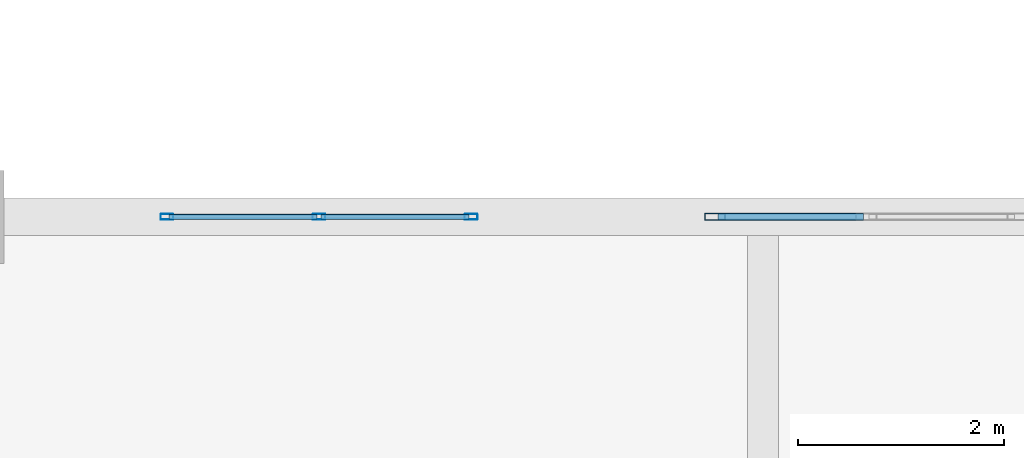
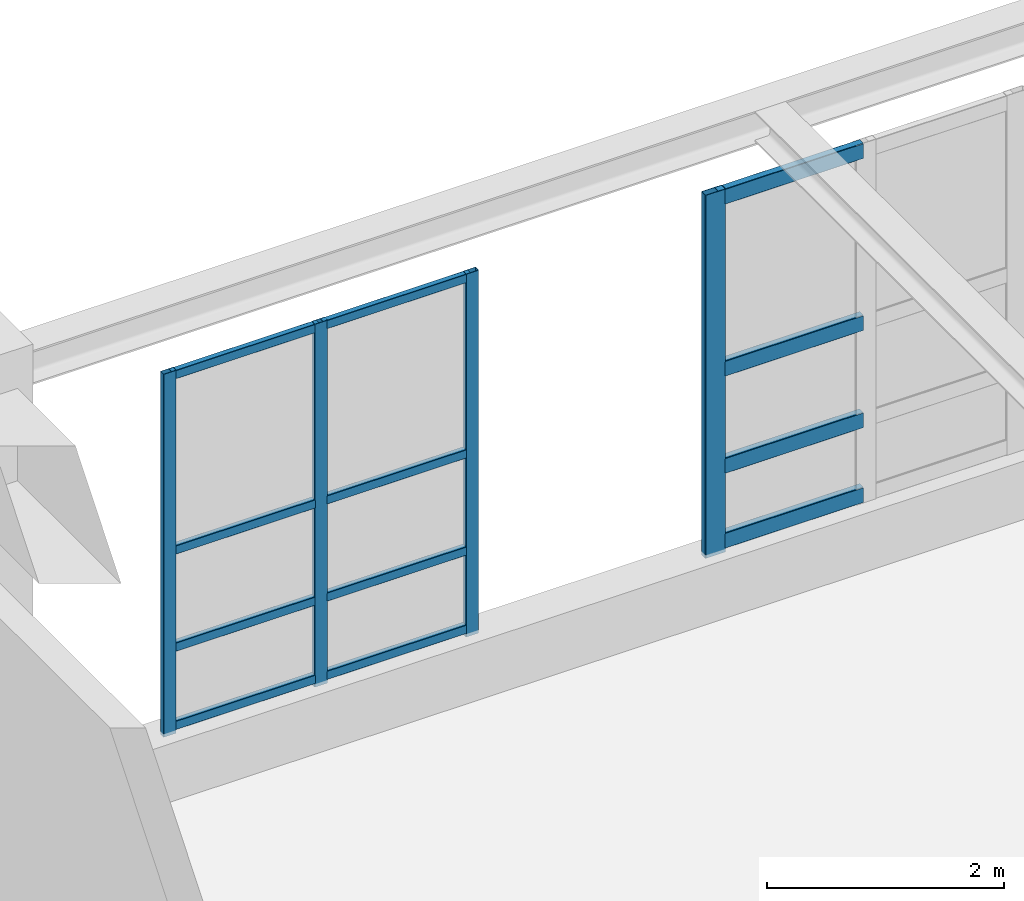
# One storey, part 79 of 197: 16 members, 2 elements without a shape of their own.
"""IFC4 building model written with IfcOpenShell, lengths in metres."""

import ifcopenshell
import ifcopenshell.guid

model = None  # the IFC model being written
_history = None  # IfcOwnerHistory: only IFC2X3 demands one
_inside = {}  # id of a spatial element -> (the spatial element, [elements in it])
_under = {}  # id of a project, library or spatial element -> (it, [spatial elements below it])
_declared = {}  # id of a project -> (the project, [libraries it declares])
_typed = {}  # id of a type object -> (the type object, [elements of that type])
_made_of = {}  # id of a material, layer set ... -> (it, [elements and type objects made of it])


def new_model(schema):
    """Start an empty IFC model of exactly this schema.

    Asked for "IFC4X3", IfcOpenShell would pick the latest addendum, in which some entities
    have other attributes; the version numbers below select the first issue.
    IFC2X3 requires an IfcOwnerHistory on every rooted entity: one is made here for all.
    """
    global model, _history
    if schema == "IFC4X3":
        model = ifcopenshell.file(schema_version=(4, 3, 0, 0))
    else:
        model = ifcopenshell.file(schema=schema)
    _inside.clear()
    _under.clear()
    _declared.clear()
    _typed.clear()
    _made_of.clear()
    _history = None
    if model.schema == "IFC2X3":
        org = make("IfcOrganization", Name="unknown")
        user = make(
            "IfcPersonAndOrganization",
            ThePerson=make("IfcPerson", FamilyName="unknown"),
            TheOrganization=org,
        )
        app = make(
            "IfcApplication",
            ApplicationDeveloper=org,
            Version="unknown",
            ApplicationFullName="unknown",
            ApplicationIdentifier="unknown",
        )
        _history = make(
            "IfcOwnerHistory",
            OwningUser=user,
            OwningApplication=app,
            ChangeAction="ADDED",
            CreationDate=0,
        )
    return model


def make(cls, **values):
    """One entity of the class cls with the attributes given. An attribute that is None is left unset."""
    return model.create_entity(
        cls, **{name: value for name, value in values.items() if value is not None}
    )


def rooted(cls, **values):
    """An entity with a GlobalId (a new one), such as an element, a storey or a relation."""
    return make(cls, GlobalId=ifcopenshell.guid.new(), OwnerHistory=_history, **values)


def si_unit(unit_type, name, prefix=None):
    """IfcSIUnit, for example si_unit("LENGTHUNIT", "METRE", prefix="MILLI")."""
    return make("IfcSIUnit", UnitType=unit_type, Prefix=prefix, Name=name)


def derived_unit(unit_type, elements):
    """IfcDerivedUnit: a product of units, each with its exponent."""
    return make(
        "IfcDerivedUnit",
        Elements=[
            make("IfcDerivedUnitElement", Unit=unit, Exponent=power)
            for unit, power in elements
        ],
        UnitType=unit_type,
    )


def assignment(units):
    """IfcUnitAssignment: the units of a project."""
    return None if units is None else make("IfcUnitAssignment", Units=units)


def point(xyz):
    """IfcCartesianPoint."""
    return None if xyz is None else make("IfcCartesianPoint", Coordinates=xyz)


def direction(xyz):
    """IfcDirection."""
    return None if xyz is None else make("IfcDirection", DirectionRatios=xyz)


def frame(location, z_axis=None, x_axis=None):
    """IfcAxis2Placement3D, a coordinate frame: its origin and axes. An axis left out is left unset."""
    return make(
        "IfcAxis2Placement3D",
        Location=point(location),
        Axis=direction(z_axis),
        RefDirection=direction(x_axis),
    )


def frame_2d(location, x_axis=None):
    """IfcAxis2Placement2D, a coordinate frame in the plane: its origin and x axis."""
    return make(
        "IfcAxis2Placement2D", Location=point(location), RefDirection=direction(x_axis)
    )


def origin():
    """The frame at (0, 0, 0) with its axes left unset."""
    return frame((0.0, 0.0, 0.0))


def origin_2d():
    """The frame at (0, 0) in the plane with its x axis left unset."""
    return frame_2d((0.0, 0.0))


def place(relative_to, where):
    """IfcLocalPlacement: puts the frame where relative to a parent placement (None: the world)."""
    return make(
        "IfcLocalPlacement", PlacementRelTo=relative_to, RelativePlacement=where
    )


def context(
    kind, dimensions, precision=None, world=None, true_north=None, identifier=None
):
    """IfcGeometricRepresentationContext, for example the 3D "Model" context."""
    return make(
        "IfcGeometricRepresentationContext",
        ContextIdentifier=identifier,
        ContextType=kind,
        CoordinateSpaceDimension=dimensions,
        Precision=precision,
        WorldCoordinateSystem=world,
        TrueNorth=true_north,
    )


def subcontext(parent, identifier, kind, view, scale=None):
    """IfcGeometricRepresentationSubContext, for example "Body" below "Model"."""
    return make(
        "IfcGeometricRepresentationSubContext",
        ContextIdentifier=identifier,
        ContextType=kind,
        ParentContext=parent,
        TargetScale=scale,
        TargetView=view,
    )


def project(units=None, contexts=None):
    """IfcProject with its units and contexts."""
    return rooted(
        "IfcProject",
        Name="project",
        RepresentationContexts=contexts,
        UnitsInContext=assignment(units),
    )


def spatial(cls, under=None, at=None, **own):
    """A site, building, storey or space (cls), placed at a placement, below another one or the project."""
    s = rooted(cls, ObjectPlacement=at, **own)
    if under is not None:
        _under.setdefault(under.id(), (under, []))[1].append(s)
    return s


def profile(cls, at=None, kind="AREA", **sizes):
    """A parametric profile (cls). Its sizes go by their IFC names, for example OverallWidth=200.0."""
    return make(cls, ProfileType=kind, Position=at, **sizes)


def hollow_rectangle(**sizes):
    """IfcRectangleHollowProfileDef."""
    return profile("IfcRectangleHollowProfileDef", **sizes)


def extrude(swept, where, along, depth):
    """IfcExtrudedAreaSolid: the profile swept, set in the frame where, extruded along a direction by depth."""
    return make(
        "IfcExtrudedAreaSolid",
        SweptArea=swept,
        Position=where,
        ExtrudedDirection=direction(along),
        Depth=depth,
    )


def shape(context_of_items, identifier, shape_type, items):
    """IfcShapeRepresentation: the items that make up one representation, for example the "Body"."""
    return make(
        "IfcShapeRepresentation",
        ContextOfItems=context_of_items,
        RepresentationIdentifier=identifier,
        RepresentationType=shape_type,
        Items=items,
    )


def material(Name=None, Category=None):
    """IfcMaterial."""
    return make("IfcMaterial", Name=Name, Category=Category)


def layer(
    of_material, thickness, ventilated=None, Name=None, Category=None, Priority=None
):
    """IfcMaterialLayer: one layer of a wall or slab, of a material (None: an air gap)."""
    return make(
        "IfcMaterialLayer",
        Material=of_material,
        LayerThickness=thickness,
        IsVentilated=ventilated,
        Name=Name,
        Category=Category,
        Priority=Priority,
    )


def layer_set(layers, Name=None):
    """IfcMaterialLayerSet."""
    return make("IfcMaterialLayerSet", MaterialLayers=layers, LayerSetName=Name)


def material_profile(
    of_material, cross_section, Name=None, Category=None, Priority=None
):
    """IfcMaterialProfile: a cross section and its material."""
    return make(
        "IfcMaterialProfile",
        Name=Name,
        Material=of_material,
        Profile=cross_section,
        Priority=Priority,
        Category=Category,
    )


def profile_set(profiles, Name=None, composite=None):
    """IfcMaterialProfileSet."""
    return make(
        "IfcMaterialProfileSet",
        Name=Name,
        MaterialProfiles=profiles,
        CompositeProfile=composite,
    )


def made_of(thing, what):
    """Note that an element or type object is made of a material, layer set ...; save() writes the relation."""
    if what is not None:
        _made_of.setdefault(what.id(), (what, []))[1].append(thing)
    return thing


def type_object(cls, material=None, **own):
    """A type object (cls), such as IfcWallType, which elements share."""
    return made_of(rooted(cls, **own), material)


def element(
    cls,
    number,
    at=None,
    inside=None,
    cuts=None,
    type_object=None,
    material=None,
    context=None,
    identifier="Body",
    shape_type=None,
    held_by="IfcProductDefinitionShape",
    body=None,
    shapes=None,
    **own,
):
    """One element of the class cls, such as IfcWall. Its Tag is "e" and its number.

    at: its placement. inside: the storey or other place that contains it. cuts: it is an
    opening in that element (IfcRelVoidsElement). A single representation is given by context,
    identifier, shape_type and body (its items); several are given by shapes. held_by: the class
    of the entity that holds the representations. save() writes the other relations.
    """
    e = rooted(cls, Tag="e%d" % number, ObjectPlacement=at, **own)
    if body is not None:
        shapes = [shape(context, identifier, shape_type, body)]
    if shapes is not None:
        e.Representation = make(held_by, Representations=shapes)
    if inside is not None:
        _inside.setdefault(inside.id(), (inside, []))[1].append(e)
    if cuts is not None:
        rooted(
            "IfcRelVoidsElement", RelatingBuildingElement=cuts, RelatedOpeningElement=e
        )
    if type_object is not None:
        _typed.setdefault(type_object.id(), (type_object, []))[1].append(e)
    return made_of(e, material)


def aggregate(whole, parts):
    """IfcRelAggregates: a whole, such as a stair, and the parts it consists of."""
    return rooted("IfcRelAggregates", RelatingObject=whole, RelatedObjects=parts)


def save(model, path):
    """Write the relations noted so far, then the file.

    IfcRelAggregates (storeys below a building ...), IfcRelContainedInSpatialStructure (elements
    in a storey), IfcRelDefinesByType, IfcRelAssociatesMaterial and IfcRelDeclares: one each for
    every whole, place, type object, material and project.
    """
    for whole, parts in _under.values():
        aggregate(whole, parts)
    for where, things in _inside.values():
        rooted(
            "IfcRelContainedInSpatialStructure",
            RelatedElements=things,
            RelatingStructure=where,
        )
    for kind, things in _typed.values():
        rooted("IfcRelDefinesByType", RelatedObjects=things, RelatingType=kind)
    for what, things in _made_of.values():
        rooted("IfcRelAssociatesMaterial", RelatedObjects=things, RelatingMaterial=what)
    for by, libraries in _declared.values():
        rooted("IfcRelDeclares", RelatingContext=by, RelatedDefinitions=libraries)
    model.write(path)


model = new_model("IFC4")

# Units and contexts
model_context = context("Model", 3, precision=1e-05, world=origin(), true_north=direction((0.0, 1.0)))
body_context = subcontext(model_context, "Body", "Model", "MODEL_VIEW")
ifc_project = project(units=[si_unit("LENGTHUNIT", "METRE"), si_unit("AREAUNIT", "SQUARE_METRE"), si_unit("VOLUMEUNIT", "CUBIC_METRE"), si_unit("PLANEANGLEUNIT", "RADIAN"), si_unit("MASSUNIT", "GRAM", prefix="KILO"), derived_unit("THERMALTRANSMITTANCEUNIT", [(si_unit("POWERUNIT", "WATT"), 1), (si_unit("LENGTHUNIT", "METRE"), -2), (si_unit("THERMODYNAMICTEMPERATUREUNIT", "KELVIN"), -1)])], contexts=[model_context])

# Site, building, storey
site_placement = place(None, origin())
site = spatial("IfcSite", under=ifc_project, at=site_placement, CompositionType="ELEMENT")
building_placement = place(site_placement, origin())
building = spatial("IfcBuilding", under=site, at=building_placement, Name="Almenara Railside Exhibition Hall", CompositionType="ELEMENT")
storey_placement = place(building_placement, frame((0.0, 0.0, 5.39990234375)))
storey = spatial("IfcBuildingStorey", under=building, at=storey_placement, Name="L01", CompositionType="ELEMENT", Elevation=5.39990234375)

# Curtain wall, members
ifc_material_1 = material(Name="Bronze-anodised aluminium and low-E double glazing", Category="aluminium")
ifc_layer = layer(ifc_material_1, 0.179931640625, Name="Bronze-anodised aluminium and low-E double glazing")
ifc_layer_set = layer_set([ifc_layer], Name="Bronze-anodised aluminium and low-E double glazing")
curtain_wall_type = type_object("IfcCurtainWallType", Name="Courtyard North Galeria Curtain Wall 3000x3700", PredefinedType="NOTDEFINED", material=ifc_layer_set)
curtain_wall_1_placement = place(storey_placement, origin())
curtain_wall_1 = element("IfcCurtainWall", 1, at=curtain_wall_1_placement, inside=storey, type_object=curtain_wall_type, Name="Curtain wall CW-CY1-122", PredefinedType="NOTDEFINED")
ifc_material_2 = material(Name="Bronze-anodised aluminium", Category="aluminium")
ifc_material_profile_1 = material_profile(ifc_material_2, hollow_rectangle(XDim=0.054931640625, YDim=0.125, WallThickness=0.0029296875, InnerFilletRadius=0.0029296875, OuterFilletRadius=0.006103515625, at=origin_2d()), Name="ALU-MUL 55x125x3")
ifc_profile_set_1 = profile_set([ifc_material_profile_1], Name="Bronze-anodised aluminium")
member_type_1 = type_object("IfcMemberType", Name="Curtain Wall Mullion 55x125x3", PredefinedType="MULLION", material=ifc_profile_set_1)
member_1_placement = place(storey_placement, frame((68.027587890625, 108.0, 0.565185546875), z_axis=(0.0, 0.0, 1.0), x_axis=(0.0, 1.0, 0.0)))
member_1 = element("IfcMember", 2, at=member_1_placement, type_object=member_type_1, Name="CW-CY1-122 mullion 1", PredefinedType="MULLION", context=body_context, shape_type="SweptSolid", body=[
    extrude(hollow_rectangle(XDim=0.054931640625, YDim=0.125, WallThickness=0.0029296875, InnerFilletRadius=0.0029296875, OuterFilletRadius=0.006103515625, at=origin_2d()), origin(), (0.0, 0.0, 1.0), 3.73486328125),
])
member_2_placement = place(storey_placement, frame((69.5, 108.0, 0.565185546875), z_axis=(0.0, 0.0, 1.0), x_axis=(0.0, 1.0, 0.0)))
member_2 = element("IfcMember", 3, at=member_2_placement, type_object=member_type_1, Name="CW-CY1-122 mullion 2", PredefinedType="MULLION", context=body_context, shape_type="SweptSolid", body=[
    extrude(hollow_rectangle(XDim=0.054931640625, YDim=0.125, WallThickness=0.0029296875, InnerFilletRadius=0.0029296875, OuterFilletRadius=0.006103515625, at=origin_2d()), origin(), (0.0, 0.0, 1.0), 3.73486328125),
])
member_3_placement = place(storey_placement, frame((70.972412109375, 108.0, 0.565185546875), z_axis=(0.0, 0.0, 1.0), x_axis=(0.0, 1.0, 0.0)))
member_3 = element("IfcMember", 4, at=member_3_placement, type_object=member_type_1, Name="CW-CY1-122 mullion 3", PredefinedType="MULLION", context=body_context, shape_type="SweptSolid", body=[
    extrude(hollow_rectangle(XDim=0.054931640625, YDim=0.125, WallThickness=0.0029296875, InnerFilletRadius=0.0029296875, OuterFilletRadius=0.006103515625, at=origin_2d()), origin(), (0.0, 0.0, 1.0), 3.73486328125),
])

# Curtain wall, member
curtain_wall_2_placement = place(storey_placement, origin())
curtain_wall_2 = element("IfcCurtainWall", 5, at=curtain_wall_2_placement, inside=storey, type_object=curtain_wall_type, Name="Curtain wall CW-CY1-123", PredefinedType="NOTDEFINED")
ifc_material_profile_2 = material_profile(ifc_material_2, hollow_rectangle(XDim=0.070068359375, YDim=0.199951171875, WallThickness=0.00439453125, InnerFilletRadius=0.00439453125, OuterFilletRadius=0.009033203125, at=origin_2d()), Name="ALU-MUL 70x200x4.5")
ifc_profile_set_2 = profile_set([ifc_material_profile_2], Name="Bronze-anodised aluminium")
member_type_2 = type_object("IfcMemberType", Name="Curtain Wall Mullion 70x200x4.5", PredefinedType="MULLION", material=ifc_profile_set_2)
member_4_placement = place(storey_placement, frame((73.3349609375, 108.0, 0.565185546875), z_axis=(0.0, 0.0, 1.0), x_axis=(0.0, 1.0, 0.0)))
member_4 = element("IfcMember", 6, at=member_4_placement, type_object=member_type_2, Name="CW-CY1-123 mullion 1", PredefinedType="MULLION", context=body_context, shape_type="SweptSolid", body=[
    extrude(hollow_rectangle(XDim=0.070068359375, YDim=0.199951171875, WallThickness=0.00439453125, InnerFilletRadius=0.00439453125, OuterFilletRadius=0.009033203125, at=origin_2d()), origin(), (0.0, 0.0, 1.0), 3.73486328125),
])

# Member
ifc_material_profile_3 = material_profile(ifc_material_2, hollow_rectangle(XDim=0.054931640625, YDim=0.090087890625, WallThickness=0.0029296875, InnerFilletRadius=0.0029296875, OuterFilletRadius=0.006103515625, at=origin_2d()), Name="ALU-TRN 55x90x3")
ifc_profile_set_3 = profile_set([ifc_material_profile_3], Name="Bronze-anodised aluminium")
member_type_3 = type_object("IfcMemberType", Name="Curtain Wall Transom 55x90x3", PredefinedType="USERDEFINED", material=ifc_profile_set_3)
member_5_placement = place(storey_placement, frame((68.047119140625, 108.0, 0.64501953125), z_axis=(1.0, 0.0, 0.0), x_axis=(0.0, 1.0, 0.0)))
member_5 = element("IfcMember", 7, at=member_5_placement, type_object=member_type_3, Name="CW-CY1-122 transom 1.1", ObjectType="TRANSOM", PredefinedType="USERDEFINED", context=body_context, shape_type="SweptSolid", body=[
    extrude(hollow_rectangle(XDim=0.054931640625, YDim=0.090087890625, WallThickness=0.0029296875, InnerFilletRadius=0.0029296875, OuterFilletRadius=0.006103515625, at=origin_2d()), origin(), (0.0, 0.0, 1.0), 1.433349609375),
])

member_6_placement = place(storey_placement, frame((68.047119140625, 108.0, 1.4501953125), z_axis=(1.0, 0.0, 0.0), x_axis=(0.0, 1.0, 0.0)))
member_6 = element("IfcMember", 8, at=member_6_placement, type_object=member_type_3, Name="CW-CY1-122 transom 1.2", ObjectType="TRANSOM", PredefinedType="USERDEFINED", context=body_context, shape_type="SweptSolid", body=[
    extrude(hollow_rectangle(XDim=0.054931640625, YDim=0.090087890625, WallThickness=0.0029296875, InnerFilletRadius=0.0029296875, OuterFilletRadius=0.006103515625, at=origin_2d()), origin(), (0.0, 0.0, 1.0), 1.433349609375),
])

member_7_placement = place(storey_placement, frame((68.047119140625, 108.0, 2.4501953125), z_axis=(1.0, 0.0, 0.0), x_axis=(0.0, 1.0, 0.0)))
member_7 = element("IfcMember", 9, at=member_7_placement, type_object=member_type_3, Name="CW-CY1-122 transom 1.3", ObjectType="TRANSOM", PredefinedType="USERDEFINED", context=body_context, shape_type="SweptSolid", body=[
    extrude(hollow_rectangle(XDim=0.054931640625, YDim=0.090087890625, WallThickness=0.0029296875, InnerFilletRadius=0.0029296875, OuterFilletRadius=0.006103515625, at=origin_2d()), origin(), (0.0, 0.0, 1.0), 1.433349609375),
])

member_8_placement = place(storey_placement, frame((68.047119140625, 108.0, 4.255126953125), z_axis=(1.0, 0.0, 0.0), x_axis=(0.0, 1.0, 0.0)))
member_8 = element("IfcMember", 10, at=member_8_placement, type_object=member_type_3, Name="CW-CY1-122 transom 1.4", ObjectType="TRANSOM", PredefinedType="USERDEFINED", context=body_context, shape_type="SweptSolid", body=[
    extrude(hollow_rectangle(XDim=0.054931640625, YDim=0.090087890625, WallThickness=0.0029296875, InnerFilletRadius=0.0029296875, OuterFilletRadius=0.006103515625, at=origin_2d()), origin(), (0.0, 0.0, 1.0), 1.433349609375),
])

member_9_placement = place(storey_placement, frame((69.51953125, 108.0, 0.64501953125), z_axis=(1.0, 0.0, 0.0), x_axis=(0.0, 1.0, 0.0)))
member_9 = element("IfcMember", 11, at=member_9_placement, type_object=member_type_3, Name="CW-CY1-122 transom 2.1", ObjectType="TRANSOM", PredefinedType="USERDEFINED", context=body_context, shape_type="SweptSolid", body=[
    extrude(hollow_rectangle(XDim=0.054931640625, YDim=0.090087890625, WallThickness=0.0029296875, InnerFilletRadius=0.0029296875, OuterFilletRadius=0.006103515625, at=origin_2d()), origin(), (0.0, 0.0, 1.0), 1.433349609375),
])

member_10_placement = place(storey_placement, frame((69.51953125, 108.0, 1.4501953125), z_axis=(1.0, 0.0, 0.0), x_axis=(0.0, 1.0, 0.0)))
member_10 = element("IfcMember", 12, at=member_10_placement, type_object=member_type_3, Name="CW-CY1-122 transom 2.2", ObjectType="TRANSOM", PredefinedType="USERDEFINED", context=body_context, shape_type="SweptSolid", body=[
    extrude(hollow_rectangle(XDim=0.054931640625, YDim=0.090087890625, WallThickness=0.0029296875, InnerFilletRadius=0.0029296875, OuterFilletRadius=0.006103515625, at=origin_2d()), origin(), (0.0, 0.0, 1.0), 1.433349609375),
])

member_11_placement = place(storey_placement, frame((69.51953125, 108.0, 2.4501953125), z_axis=(1.0, 0.0, 0.0), x_axis=(0.0, 1.0, 0.0)))
member_11 = element("IfcMember", 13, at=member_11_placement, type_object=member_type_3, Name="CW-CY1-122 transom 2.3", ObjectType="TRANSOM", PredefinedType="USERDEFINED", context=body_context, shape_type="SweptSolid", body=[
    extrude(hollow_rectangle(XDim=0.054931640625, YDim=0.090087890625, WallThickness=0.0029296875, InnerFilletRadius=0.0029296875, OuterFilletRadius=0.006103515625, at=origin_2d()), origin(), (0.0, 0.0, 1.0), 1.433349609375),
])

member_12_placement = place(storey_placement, frame((69.51953125, 108.0, 4.255126953125), z_axis=(1.0, 0.0, 0.0), x_axis=(0.0, 1.0, 0.0)))
member_12 = element("IfcMember", 14, at=member_12_placement, type_object=member_type_3, Name="CW-CY1-122 transom 2.4", ObjectType="TRANSOM", PredefinedType="USERDEFINED", context=body_context, shape_type="SweptSolid", body=[
    extrude(hollow_rectangle(XDim=0.054931640625, YDim=0.090087890625, WallThickness=0.0029296875, InnerFilletRadius=0.0029296875, OuterFilletRadius=0.006103515625, at=origin_2d()), origin(), (0.0, 0.0, 1.0), 1.433349609375),
])

aggregate(curtain_wall_1, [member_1, member_2, member_3, member_5, member_6, member_7, member_8, member_9, member_10, member_11, member_12])

ifc_material_profile_4 = material_profile(ifc_material_2, hollow_rectangle(XDim=0.070068359375, YDim=0.159912109375, WallThickness=0.00390625, InnerFilletRadius=0.00390625, OuterFilletRadius=0.008056640625, at=origin_2d()), Name="ALU-TRN 70x160x4")
ifc_profile_set_4 = profile_set([ifc_material_profile_4], Name="Bronze-anodised aluminium")
member_type_4 = type_object("IfcMemberType", Name="Curtain Wall Transom 70x160x4", PredefinedType="USERDEFINED", material=ifc_profile_set_4)
member_13_placement = place(storey_placement, frame((73.362060546875, 108.0, 0.68017578125), z_axis=(1.0, 0.0, 0.0), x_axis=(0.0, 1.0, 0.0)))
member_13 = element("IfcMember", 15, at=member_13_placement, type_object=member_type_4, Name="CW-CY1-123 transom 1.1", ObjectType="TRANSOM", PredefinedType="USERDEFINED", context=body_context, shape_type="SweptSolid", body=[
    extrude(hollow_rectangle(XDim=0.070068359375, YDim=0.159912109375, WallThickness=0.00390625, InnerFilletRadius=0.00390625, OuterFilletRadius=0.008056640625, at=origin_2d()), origin(), (0.0, 0.0, 1.0), 1.410888671875),
])

member_14_placement = place(storey_placement, frame((73.362060546875, 108.0, 1.4501953125), z_axis=(1.0, 0.0, 0.0), x_axis=(0.0, 1.0, 0.0)))
member_14 = element("IfcMember", 16, at=member_14_placement, type_object=member_type_4, Name="CW-CY1-123 transom 1.2", ObjectType="TRANSOM", PredefinedType="USERDEFINED", context=body_context, shape_type="SweptSolid", body=[
    extrude(hollow_rectangle(XDim=0.070068359375, YDim=0.159912109375, WallThickness=0.00390625, InnerFilletRadius=0.00390625, OuterFilletRadius=0.008056640625, at=origin_2d()), origin(), (0.0, 0.0, 1.0), 1.410888671875),
])

member_15_placement = place(storey_placement, frame((73.362060546875, 108.0, 2.4501953125), z_axis=(1.0, 0.0, 0.0), x_axis=(0.0, 1.0, 0.0)))
member_15 = element("IfcMember", 17, at=member_15_placement, type_object=member_type_4, Name="CW-CY1-123 transom 1.3", ObjectType="TRANSOM", PredefinedType="USERDEFINED", context=body_context, shape_type="SweptSolid", body=[
    extrude(hollow_rectangle(XDim=0.070068359375, YDim=0.159912109375, WallThickness=0.00390625, InnerFilletRadius=0.00390625, OuterFilletRadius=0.008056640625, at=origin_2d()), origin(), (0.0, 0.0, 1.0), 1.410888671875),
])

member_16_placement = place(storey_placement, frame((73.362060546875, 108.0, 4.22021484375), z_axis=(1.0, 0.0, 0.0), x_axis=(0.0, 1.0, 0.0)))
member_16 = element("IfcMember", 18, at=member_16_placement, type_object=member_type_4, Name="CW-CY1-123 transom 1.4", ObjectType="TRANSOM", PredefinedType="USERDEFINED", context=body_context, shape_type="SweptSolid", body=[
    extrude(hollow_rectangle(XDim=0.070068359375, YDim=0.159912109375, WallThickness=0.00390625, InnerFilletRadius=0.00390625, OuterFilletRadius=0.008056640625, at=origin_2d()), origin(), (0.0, 0.0, 1.0), 1.410888671875),
])

aggregate(curtain_wall_2, [member_4, member_13, member_14, member_15, member_16])

save(model, "model.ifc")
